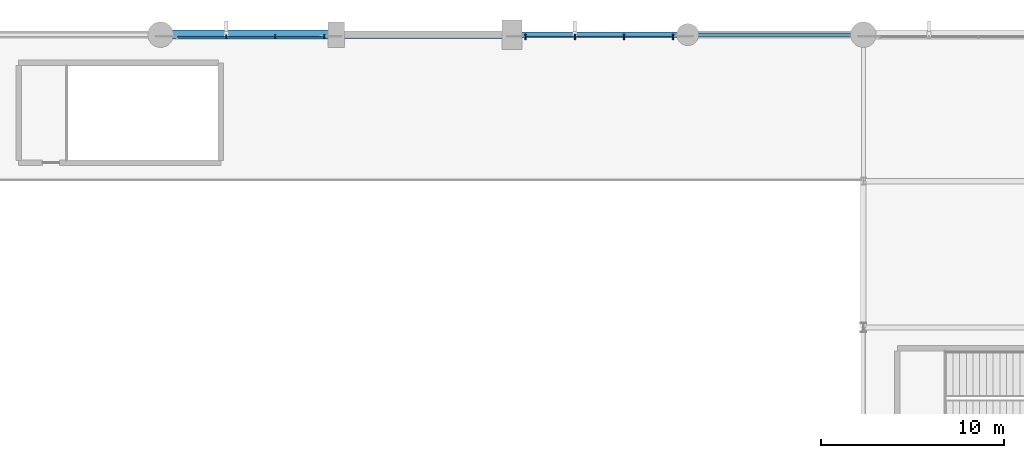
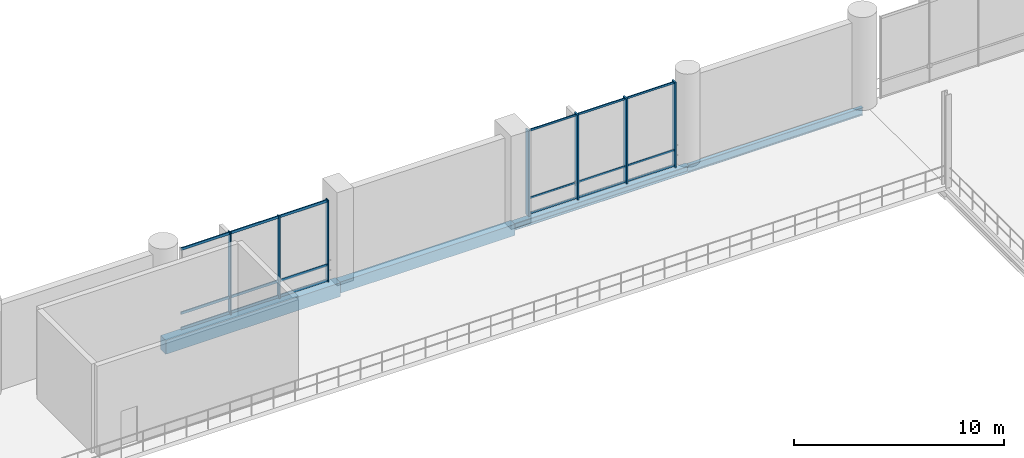
# One storey, part 65 of 129: 13 members, 4 beams, 2 elements without a shape of their own.
"""IFC4 building model written with IfcOpenShell, lengths in metres."""

from ifc_helpers import new_model, si_unit, direction, frame, origin, origin_2d, place, context, subcontext, project, spatial, rectangle, i_section, extrude, material, material_profile, profile_set, type_object, element, aggregate, save


model = new_model("IFC4")

# Units and contexts
model_context = context("Model", 3, precision=1e-05, world=origin(), true_north=direction((0.0, 1.0)))
body_context = subcontext(model_context, "Body", "Model", "MODEL_VIEW")
ifc_project = project(units=[si_unit("LENGTHUNIT", "METRE"), si_unit("AREAUNIT", "SQUARE_METRE"), si_unit("VOLUMEUNIT", "CUBIC_METRE"), si_unit("PLANEANGLEUNIT", "RADIAN"), si_unit("MASSUNIT", "GRAM", prefix="KILO")], contexts=[model_context])

# Site, building, storey
site_placement = place(None, origin())
site = spatial("IfcSite", under=ifc_project, at=site_placement, CompositionType="ELEMENT")
building_placement = place(site_placement, origin())
building = spatial("IfcBuilding", under=site, at=building_placement, Name="Danafjord Basin Convention Centre", CompositionType="ELEMENT")
storey_placement = place(building_placement, frame((0.0, 0.0, 6.0)))
storey = spatial("IfcBuildingStorey", under=building, at=storey_placement, Name="L01", CompositionType="ELEMENT", Elevation=6.0)

# Beams
ifc_material_1 = material(Name="Steel S355", Category="steel")
ifc_material_profile_1 = material_profile(ifc_material_1, i_section(OverallWidth=0.300048828125, OverallDepth=0.39990234375, WebThickness=0.013427734375, FlangeThickness=0.02392578125, FilletRadius=0.027099609375, at=origin_2d()), Name="HEB 400")
ifc_profile_set_1 = profile_set([ifc_material_profile_1], Name="Steel S355")
beam_type_1 = type_object("IfcBeamType", Name="BEAM-SP-HEB400", PredefinedType="SPANDREL", material=ifc_profile_set_1)
beam_1_placement = place(storey_placement, frame((76.800048828125, 144.0, -0.449951171875), z_axis=(1.0, 0.0, 0.0), x_axis=(0.0, 1.0, 0.0)))
element("IfcBeam", 1, at=beam_1_placement, inside=storey, type_object=beam_type_1, Name="L01 girder SP-HEB400", PredefinedType="SPANDREL", context=body_context, shape_type="SweptSolid", body=[
    extrude(i_section(OverallWidth=0.300048828125, OverallDepth=0.39990234375, WebThickness=0.013427734375, FlangeThickness=0.02392578125, FilletRadius=0.027099609375, at=origin_2d()), origin(), (0.0, 0.0, 1.0), 9.599853515625),
])
ifc_material_profile_2 = material_profile(ifc_material_1, i_section(OverallWidth=0.18994140625, OverallDepth=0.449951171875, WebThickness=0.009521484375, FlangeThickness=0.0146484375, FilletRadius=0.02099609375, at=origin_2d()), Name="IPE 450")
ifc_profile_set_2 = profile_set([ifc_material_profile_2], Name="Steel S355")
beam_type_2 = type_object("IfcBeamType", Name="BEAM-SP-IPE450", PredefinedType="SPANDREL", material=ifc_profile_set_2)
beam_2_placement = place(storey_placement, frame((86.39990234375, 144.0, -0.47509765625), z_axis=(1.0, 0.0, 0.0), x_axis=(0.0, 1.0, 0.0)))
element("IfcBeam", 2, at=beam_2_placement, inside=storey, type_object=beam_type_2, Name="L01 girder SP-IPE450", PredefinedType="SPANDREL", context=body_context, shape_type="SweptSolid", body=[
    extrude(i_section(OverallWidth=0.18994140625, OverallDepth=0.449951171875, WebThickness=0.009521484375, FlangeThickness=0.0146484375, FilletRadius=0.02099609375, at=origin_2d()), origin(), (0.0, 0.0, 1.0), 9.60009765625),
])
ifc_material_2 = material(Name="Precast concrete C45/55", Category="concrete")
ifc_material_profile_3 = material_profile(ifc_material_2, rectangle(XDim=0.39990234375, YDim=0.64990234375, at=origin_2d()), Name="PCB 400x650")
ifc_profile_set_3 = profile_set([ifc_material_profile_3], Name="Precast concrete C45/55")
beam_type_3 = type_object("IfcBeamType", Name="BEAM-SP-PCB650", PredefinedType="SPANDREL", material=ifc_profile_set_3)
beam_3_placement = place(storey_placement, frame((67.199951171875, 144.0, -0.574951171875), z_axis=(1.0, 0.0, 0.0), x_axis=(0.0, 1.0, 0.0)))
element("IfcBeam", 3, at=beam_3_placement, inside=storey, type_object=beam_type_3, Name="L01 girder SP-PCB650", PredefinedType="SPANDREL", context=body_context, shape_type="SweptSolid", body=[
    extrude(rectangle(XDim=0.39990234375, YDim=0.64990234375, at=origin_2d()), origin(), (0.0, 0.0, 1.0), 9.60009765625),
])
ifc_material_profile_4 = material_profile(ifc_material_2, rectangle(XDim=0.5, YDim=0.800048828125, at=origin_2d()), Name="PCB 500x800")
ifc_profile_set_4 = profile_set([ifc_material_profile_4], Name="Precast concrete C45/55")
beam_type_4 = type_object("IfcBeamType", Name="BEAM-SP-PCB800", PredefinedType="SPANDREL", material=ifc_profile_set_4)
beam_4_placement = place(storey_placement, frame((57.60009765625, 144.0, -0.64990234375), z_axis=(1.0, 0.0, 0.0), x_axis=(0.0, 1.0, 0.0)))
element("IfcBeam", 4, at=beam_4_placement, inside=storey, type_object=beam_type_4, Name="L01 girder SP-PCB800", PredefinedType="SPANDREL", context=body_context, shape_type="SweptSolid", body=[
    extrude(rectangle(XDim=0.5, YDim=0.800048828125, at=origin_2d()), origin(), (0.0, 0.0, 1.0), 9.599853515625),
])

# Curtain wall, members
ifc_material_3 = material(Name="Anodised aluminium and triple glazing", Category="aluminium")
curtain_wall_type = type_object("IfcCurtainWallType", Name="CW-CW-HALL", PredefinedType="NOTDEFINED", material=ifc_material_3)
curtain_wall_1_placement = place(storey_placement, origin())
curtain_wall_1 = element("IfcCurtainWall", 5, at=curtain_wall_1_placement, inside=storey, type_object=curtain_wall_type, Name="L01 CW-HALL unitised curtain wall bay 7", PredefinedType="NOTDEFINED")
ifc_material_4 = material(Name="Anodised aluminium EN AW-6060", Category="aluminium")
ifc_material_profile_5 = material_profile(ifc_material_4, rectangle(XDim=0.06494140625, YDim=0.219970703125, at=origin_2d()), Name="MULL 65x220")
ifc_profile_set_5 = profile_set([ifc_material_profile_5], Name="Anodised aluminium EN AW-6060")
member_type_1 = type_object("IfcMemberType", Name="MEM-ML-220", PredefinedType="MULLION", material=ifc_profile_set_5)
member_1_placement = place(storey_placement, frame((61.183349609375, 143.8798828125, -0.02490234375), z_axis=(0.0, 0.0, 1.0), x_axis=(1.0, 0.0, 0.0)))
member_1 = element("IfcMember", 6, at=member_1_placement, type_object=member_type_1, Name="CW-L01-007 mullion 2", PredefinedType="MULLION", context=body_context, shape_type="SweptSolid", body=[
    extrude(rectangle(XDim=0.06494140625, YDim=0.219970703125, at=origin_2d()), origin(), (0.0, 0.0, 1.0), 4.764892578125),
])
member_2_placement = place(storey_placement, frame((63.86669921875, 143.8798828125, -0.02490234375), z_axis=(0.0, 0.0, 1.0), x_axis=(1.0, 0.0, 0.0)))
member_2 = element("IfcMember", 7, at=member_2_placement, type_object=member_type_1, Name="CW-L01-007 mullion 3", PredefinedType="MULLION", context=body_context, shape_type="SweptSolid", body=[
    extrude(rectangle(XDim=0.06494140625, YDim=0.219970703125, at=origin_2d()), origin(), (0.0, 0.0, 1.0), 4.764892578125),
])
member_3_placement = place(storey_placement, frame((66.550048828125, 143.8798828125, -0.02490234375), z_axis=(0.0, 0.0, 1.0), x_axis=(1.0, 0.0, 0.0)))
member_3 = element("IfcMember", 8, at=member_3_placement, type_object=member_type_1, Name="CW-L01-007 mullion 4", PredefinedType="MULLION", context=body_context, shape_type="SweptSolid", body=[
    extrude(rectangle(XDim=0.06494140625, YDim=0.219970703125, at=origin_2d()), origin(), (0.0, 0.0, 1.0), 4.764892578125),
])

curtain_wall_2_placement = place(storey_placement, origin())
curtain_wall_2 = element("IfcCurtainWall", 9, at=curtain_wall_2_placement, inside=storey, type_object=curtain_wall_type, Name="L01 CW-HALL unitised curtain wall bay 9", PredefinedType="NOTDEFINED")
ifc_material_profile_6 = material_profile(ifc_material_4, rectangle(XDim=0.080078125, YDim=0.300048828125, at=origin_2d()), Name="MULL 80x300")
ifc_profile_set_6 = profile_set([ifc_material_profile_6], Name="Anodised aluminium EN AW-6060")
member_type_2 = type_object("IfcMemberType", Name="MEM-ML-300", PredefinedType="MULLION", material=ifc_profile_set_6)
member_4_placement = place(storey_placement, frame((77.550048828125, 143.8798828125, -0.02490234375), z_axis=(0.0, 0.0, 1.0), x_axis=(1.0, 0.0, 0.0)))
member_4 = element("IfcMember", 10, at=member_4_placement, type_object=member_type_2, Name="CW-L01-009 mullion 1", PredefinedType="MULLION", context=body_context, shape_type="SweptSolid", body=[
    extrude(rectangle(XDim=0.080078125, YDim=0.300048828125, at=origin_2d()), origin(), (0.0, 0.0, 1.0), 4.96484375),
])
member_5_placement = place(storey_placement, frame((80.2333984375, 143.8798828125, -0.02490234375), z_axis=(0.0, 0.0, 1.0), x_axis=(1.0, 0.0, 0.0)))
member_5 = element("IfcMember", 11, at=member_5_placement, type_object=member_type_2, Name="CW-L01-009 mullion 2", PredefinedType="MULLION", context=body_context, shape_type="SweptSolid", body=[
    extrude(rectangle(XDim=0.080078125, YDim=0.300048828125, at=origin_2d()), origin(), (0.0, 0.0, 1.0), 4.96484375),
])
member_6_placement = place(storey_placement, frame((82.916748046875, 143.8798828125, -0.02490234375), z_axis=(0.0, 0.0, 1.0), x_axis=(1.0, 0.0, 0.0)))
member_6 = element("IfcMember", 12, at=member_6_placement, type_object=member_type_2, Name="CW-L01-009 mullion 3", PredefinedType="MULLION", context=body_context, shape_type="SweptSolid", body=[
    extrude(rectangle(XDim=0.080078125, YDim=0.300048828125, at=origin_2d()), origin(), (0.0, 0.0, 1.0), 4.96484375),
])
member_7_placement = place(storey_placement, frame((85.60009765625, 143.8798828125, -0.02490234375), z_axis=(0.0, 0.0, 1.0), x_axis=(1.0, 0.0, 0.0)))
member_7 = element("IfcMember", 13, at=member_7_placement, type_object=member_type_2, Name="CW-L01-009 mullion 4", PredefinedType="MULLION", context=body_context, shape_type="SweptSolid", body=[
    extrude(rectangle(XDim=0.080078125, YDim=0.300048828125, at=origin_2d()), origin(), (0.0, 0.0, 1.0), 4.96484375),
])
ifc_material_profile_7 = material_profile(ifc_material_4, rectangle(XDim=0.06005859375, YDim=0.110107421875, at=origin_2d()), Name="TRAN 60x110")
ifc_profile_set_7 = profile_set([ifc_material_profile_7], Name="Anodised aluminium EN AW-6060")
member_type_3 = type_object("IfcMemberType", Name="MEM-TR-110", PredefinedType="USERDEFINED", material=ifc_profile_set_7)
member_8_placement = place(storey_placement, frame((77.550048828125, 143.8798828125, 0.06005859375), z_axis=(1.0, 0.0, 0.0), x_axis=(0.0, 1.0, 0.0)))
member_8 = element("IfcMember", 14, at=member_8_placement, type_object=member_type_3, Name="CW-L01-009 transom 1", ObjectType="TRANSOM", PredefinedType="USERDEFINED", context=body_context, shape_type="SweptSolid", body=[
    extrude(rectangle(XDim=0.06005859375, YDim=0.110107421875, at=origin_2d()), origin(), (0.0, 0.0, 1.0), 8.050048828125),
])
member_9_placement = place(storey_placement, frame((77.550048828125, 143.8798828125, 0.949951171875), z_axis=(1.0, 0.0, 0.0), x_axis=(0.0, 1.0, 0.0)))
member_9 = element("IfcMember", 15, at=member_9_placement, type_object=member_type_3, Name="CW-L01-009 transom 2", ObjectType="TRANSOM", PredefinedType="USERDEFINED", context=body_context, shape_type="SweptSolid", body=[
    extrude(rectangle(XDim=0.06005859375, YDim=0.110107421875, at=origin_2d()), origin(), (0.0, 0.0, 1.0), 8.050048828125),
])
member_10_placement = place(storey_placement, frame((77.550048828125, 143.8798828125, 4.8701171875), z_axis=(1.0, 0.0, 0.0), x_axis=(0.0, 1.0, 0.0)))
member_10 = element("IfcMember", 16, at=member_10_placement, type_object=member_type_3, Name="CW-L01-009 transom 3", ObjectType="TRANSOM", PredefinedType="USERDEFINED", context=body_context, shape_type="SweptSolid", body=[
    extrude(rectangle(XDim=0.06005859375, YDim=0.110107421875, at=origin_2d()), origin(), (0.0, 0.0, 1.0), 8.050048828125),
])
aggregate(curtain_wall_2, [member_4, member_5, member_6, member_7, member_8, member_9, member_10])

# Member
ifc_material_profile_8 = material_profile(ifc_material_4, rectangle(XDim=0.06005859375, YDim=0.14990234375, at=origin_2d()), Name="TRAN 60x150")
ifc_profile_set_8 = profile_set([ifc_material_profile_8], Name="Anodised aluminium EN AW-6060")
member_type_4 = type_object("IfcMemberType", Name="MEM-TR-150", PredefinedType="USERDEFINED", material=ifc_profile_set_8)
member_11_placement = place(storey_placement, frame((58.5, 143.8798828125, 0.06005859375), z_axis=(1.0, 0.0, 0.0), x_axis=(0.0, 1.0, 0.0)))
member_11 = element("IfcMember", 17, at=member_11_placement, type_object=member_type_4, Name="CW-L01-007 transom 1", ObjectType="TRANSOM", PredefinedType="USERDEFINED", context=body_context, shape_type="SweptSolid", body=[
    extrude(rectangle(XDim=0.06005859375, YDim=0.14990234375, at=origin_2d()), origin(), (0.0, 0.0, 1.0), 8.050048828125),
])

member_12_placement = place(storey_placement, frame((58.5, 143.8798828125, 0.949951171875), z_axis=(1.0, 0.0, 0.0), x_axis=(0.0, 1.0, 0.0)))
member_12 = element("IfcMember", 18, at=member_12_placement, type_object=member_type_4, Name="CW-L01-007 transom 2", ObjectType="TRANSOM", PredefinedType="USERDEFINED", context=body_context, shape_type="SweptSolid", body=[
    extrude(rectangle(XDim=0.06005859375, YDim=0.14990234375, at=origin_2d()), origin(), (0.0, 0.0, 1.0), 8.050048828125),
])

member_13_placement = place(storey_placement, frame((58.5, 143.8798828125, 4.669921875), z_axis=(1.0, 0.0, 0.0), x_axis=(0.0, 1.0, 0.0)))
member_13 = element("IfcMember", 19, at=member_13_placement, type_object=member_type_4, Name="CW-L01-007 transom 3", ObjectType="TRANSOM", PredefinedType="USERDEFINED", context=body_context, shape_type="SweptSolid", body=[
    extrude(rectangle(XDim=0.06005859375, YDim=0.14990234375, at=origin_2d()), origin(), (0.0, 0.0, 1.0), 8.050048828125),
])

aggregate(curtain_wall_1, [member_1, member_2, member_3, member_11, member_12, member_13])

save(model, "model.ifc")
